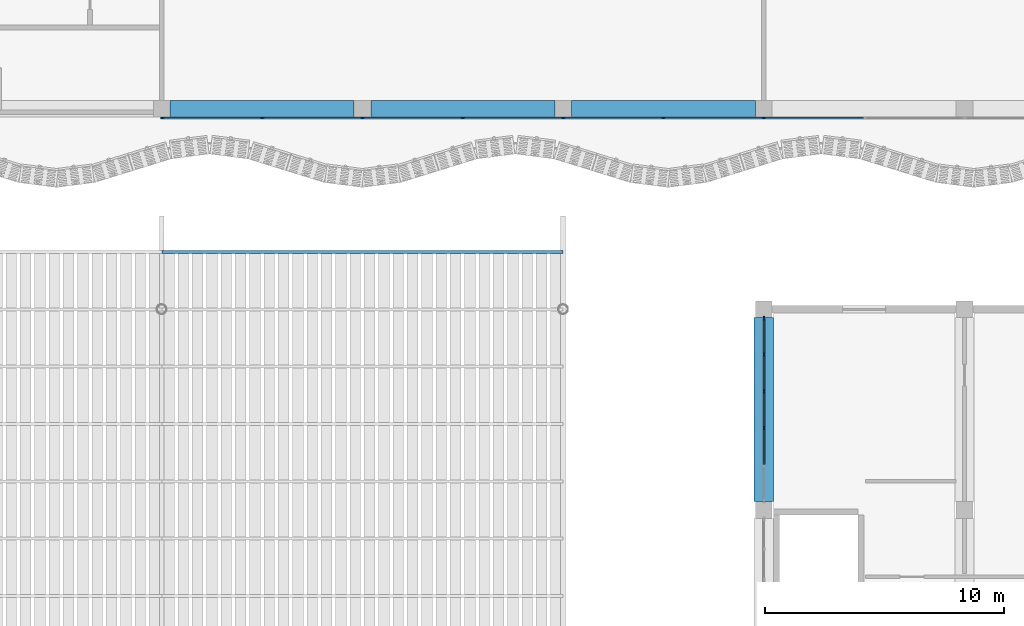
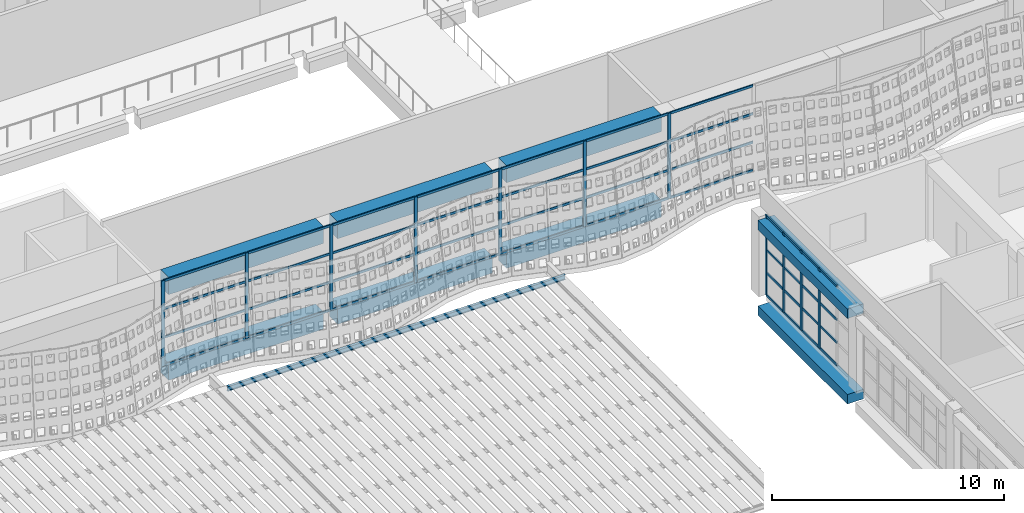
# One storey, part 47 of 162: 56 members, 8 beams, 2 elements without a shape of their own.
"""IFC4 building model written with IfcOpenShell, lengths in metres."""

from ifc_helpers import new_model, si_unit, direction, frame, origin, origin_2d, place, context, subcontext, project, spatial, rectangle, i_section, extrude, material, layer, layer_set, material_profile, profile_set, type_object, element, aggregate, save


model = new_model("IFC4")

# Units and contexts
model_context = context("Model", 3, precision=1e-05, world=origin(), true_north=direction((0.0, 1.0)))
body_context = subcontext(model_context, "Body", "Model", "MODEL_VIEW")
ifc_project = project(units=[si_unit("LENGTHUNIT", "METRE"), si_unit("AREAUNIT", "SQUARE_METRE"), si_unit("VOLUMEUNIT", "CUBIC_METRE"), si_unit("PLANEANGLEUNIT", "RADIAN"), si_unit("MASSUNIT", "GRAM", prefix="KILO")], contexts=[model_context])

# Site, building, storey
site_placement = place(None, origin())
site = spatial("IfcSite", under=ifc_project, at=site_placement, CompositionType="ELEMENT")
building_placement = place(site_placement, origin())
building = spatial("IfcBuilding", under=site, at=building_placement, Name="Rain Tree Exposition and Congress Centre", CompositionType="ELEMENT")
storey_placement = place(building_placement, frame((0.0, 0.0, 6.0)))
storey = spatial("IfcBuildingStorey", under=building, at=storey_placement, Name="L01", CompositionType="ELEMENT", Elevation=6.0)

# Curtain wall, members
ifc_material_1 = material(Name="Aluminium curtain wall system", Category="aluminium")
ifc_layer_1 = layer(ifc_material_1, 0.10009765625)
ifc_layer_set_1 = layer_set([ifc_layer_1], Name="Aluminium curtain wall system")
curtain_wall_type_1 = type_object("IfcCurtainWallType", Name="Concourse curtain wall 4200 module", PredefinedType="NOTDEFINED", material=ifc_layer_set_1)
curtain_wall_1_placement = place(storey_placement, origin())
curtain_wall_1 = element("IfcCurtainWall", 1, at=curtain_wall_1_placement, inside=storey, type_object=curtain_wall_type_1, Name="Concourse curtain wall CWC25", PredefinedType="NOTDEFINED")
ifc_material_2 = material(Name="Aluminium mullion", Category="aluminium")
ifc_material_profile_1 = material_profile(ifc_material_2, rectangle(XDim=0.06005859375, YDim=0.159912109375, at=origin_2d()), Name="AL 60x160")
ifc_profile_set_1 = profile_set([ifc_material_profile_1], Name="Aluminium mullion")
member_type_1 = type_object("IfcMemberType", Name="Concourse curtain wall mullion 60x160", PredefinedType="MULLION", material=ifc_profile_set_1)
member_1_placement = place(storey_placement, frame((126.030029296875, 75.199951171875, 0.0), z_axis=(0.0, 0.0, 1.0), x_axis=(0.0, 1.0, 0.0)))
member_1 = element("IfcMember", 2, at=member_1_placement, type_object=member_type_1, Name="CWC25 mullion 1", PredefinedType="MULLION", context=body_context, shape_type="SweptSolid", body=[
    extrude(rectangle(XDim=0.06005859375, YDim=0.159912109375, at=origin_2d()), origin(), (0.0, 0.0, 1.0), 4.5),
])
member_2_placement = place(storey_placement, frame((130.199951171875, 75.199951171875, 0.0), z_axis=(0.0, 0.0, 1.0), x_axis=(0.0, 1.0, 0.0)))
member_2 = element("IfcMember", 3, at=member_2_placement, type_object=member_type_1, Name="CWC25 mullion 2", PredefinedType="MULLION", context=body_context, shape_type="SweptSolid", body=[
    extrude(rectangle(XDim=0.06005859375, YDim=0.159912109375, at=origin_2d()), origin(), (0.0, 0.0, 1.0), 4.5),
])
member_3_placement = place(storey_placement, frame((134.39990234375, 75.199951171875, 0.0), z_axis=(0.0, 0.0, 1.0), x_axis=(0.0, 1.0, 0.0)))
member_3 = element("IfcMember", 4, at=member_3_placement, type_object=member_type_1, Name="CWC25 mullion 3", PredefinedType="MULLION", context=body_context, shape_type="SweptSolid", body=[
    extrude(rectangle(XDim=0.06005859375, YDim=0.159912109375, at=origin_2d()), origin(), (0.0, 0.0, 1.0), 4.5),
])
member_4_placement = place(storey_placement, frame((138.60009765625, 75.199951171875, 0.0), z_axis=(0.0, 0.0, 1.0), x_axis=(0.0, 1.0, 0.0)))
member_4 = element("IfcMember", 5, at=member_4_placement, type_object=member_type_1, Name="CWC25 mullion 4", PredefinedType="MULLION", context=body_context, shape_type="SweptSolid", body=[
    extrude(rectangle(XDim=0.06005859375, YDim=0.159912109375, at=origin_2d()), origin(), (0.0, 0.0, 1.0), 4.5),
])
member_5_placement = place(storey_placement, frame((142.800048828125, 75.199951171875, 0.0), z_axis=(0.0, 0.0, 1.0), x_axis=(0.0, 1.0, 0.0)))
member_5 = element("IfcMember", 6, at=member_5_placement, type_object=member_type_1, Name="CWC25 mullion 5", PredefinedType="MULLION", context=body_context, shape_type="SweptSolid", body=[
    extrude(rectangle(XDim=0.06005859375, YDim=0.159912109375, at=origin_2d()), origin(), (0.0, 0.0, 1.0), 4.5),
])
member_6_placement = place(storey_placement, frame((147.0, 75.199951171875, 0.0), z_axis=(0.0, 0.0, 1.0), x_axis=(0.0, 1.0, 0.0)))
member_6 = element("IfcMember", 7, at=member_6_placement, type_object=member_type_1, Name="CWC25 mullion 6", PredefinedType="MULLION", context=body_context, shape_type="SweptSolid", body=[
    extrude(rectangle(XDim=0.06005859375, YDim=0.159912109375, at=origin_2d()), origin(), (0.0, 0.0, 1.0), 4.5),
])
member_7_placement = place(storey_placement, frame((151.199951171875, 75.199951171875, 0.0), z_axis=(0.0, 0.0, 1.0), x_axis=(0.0, 1.0, 0.0)))
member_7 = element("IfcMember", 8, at=member_7_placement, type_object=member_type_1, Name="CWC25 mullion 7", PredefinedType="MULLION", context=body_context, shape_type="SweptSolid", body=[
    extrude(rectangle(XDim=0.06005859375, YDim=0.159912109375, at=origin_2d()), origin(), (0.0, 0.0, 1.0), 4.5),
])
ifc_material_3 = material(Name="Aluminium transom", Category="aluminium")
ifc_material_profile_2 = material_profile(ifc_material_3, rectangle(XDim=0.06005859375, YDim=0.1201171875, at=origin_2d()), Name="AL 60x120")
ifc_profile_set_2 = profile_set([ifc_material_profile_2], Name="Aluminium transom")
member_type_2 = type_object("IfcMemberType", Name="Concourse curtain wall transom 60x120", PredefinedType="USERDEFINED", material=ifc_profile_set_2)
member_8_placement = place(storey_placement, frame((126.06005859375, 75.199951171875, 0.030029296875), z_axis=(1.0, 0.0, 0.0), x_axis=(0.0, 1.0, 0.0)))
member_8 = element("IfcMember", 9, at=member_8_placement, type_object=member_type_2, Name="CWC25 transom 1.1", ObjectType="TRANSOM", PredefinedType="USERDEFINED", context=body_context, shape_type="SweptSolid", body=[
    extrude(rectangle(XDim=0.06005859375, YDim=0.1201171875, at=origin_2d()), origin(), (0.0, 0.0, 1.0), 4.10986328125),
])
member_9_placement = place(storey_placement, frame((126.06005859375, 75.199951171875, 1.5), z_axis=(1.0, 0.0, 0.0), x_axis=(0.0, 1.0, 0.0)))
member_9 = element("IfcMember", 10, at=member_9_placement, type_object=member_type_2, Name="CWC25 transom 1.2", ObjectType="TRANSOM", PredefinedType="USERDEFINED", context=body_context, shape_type="SweptSolid", body=[
    extrude(rectangle(XDim=0.06005859375, YDim=0.1201171875, at=origin_2d()), origin(), (0.0, 0.0, 1.0), 4.10986328125),
])
member_10_placement = place(storey_placement, frame((126.06005859375, 75.199951171875, 3.0), z_axis=(1.0, 0.0, 0.0), x_axis=(0.0, 1.0, 0.0)))
member_10 = element("IfcMember", 11, at=member_10_placement, type_object=member_type_2, Name="CWC25 transom 1.3", ObjectType="TRANSOM", PredefinedType="USERDEFINED", context=body_context, shape_type="SweptSolid", body=[
    extrude(rectangle(XDim=0.06005859375, YDim=0.1201171875, at=origin_2d()), origin(), (0.0, 0.0, 1.0), 4.10986328125),
])
member_11_placement = place(storey_placement, frame((126.06005859375, 75.199951171875, 4.469970703125), z_axis=(1.0, 0.0, 0.0), x_axis=(0.0, 1.0, 0.0)))
member_11 = element("IfcMember", 12, at=member_11_placement, type_object=member_type_2, Name="CWC25 transom 1.4", ObjectType="TRANSOM", PredefinedType="USERDEFINED", context=body_context, shape_type="SweptSolid", body=[
    extrude(rectangle(XDim=0.06005859375, YDim=0.1201171875, at=origin_2d()), origin(), (0.0, 0.0, 1.0), 4.10986328125),
])
member_12_placement = place(storey_placement, frame((130.22998046875, 75.199951171875, 0.030029296875), z_axis=(1.0, 0.0, 0.0), x_axis=(0.0, 1.0, 0.0)))
member_12 = element("IfcMember", 13, at=member_12_placement, type_object=member_type_2, Name="CWC25 transom 2.1", ObjectType="TRANSOM", PredefinedType="USERDEFINED", context=body_context, shape_type="SweptSolid", body=[
    extrude(rectangle(XDim=0.06005859375, YDim=0.1201171875, at=origin_2d()), origin(), (0.0, 0.0, 1.0), 4.14013671875),
])
member_13_placement = place(storey_placement, frame((130.22998046875, 75.199951171875, 1.5), z_axis=(1.0, 0.0, 0.0), x_axis=(0.0, 1.0, 0.0)))
member_13 = element("IfcMember", 14, at=member_13_placement, type_object=member_type_2, Name="CWC25 transom 2.2", ObjectType="TRANSOM", PredefinedType="USERDEFINED", context=body_context, shape_type="SweptSolid", body=[
    extrude(rectangle(XDim=0.06005859375, YDim=0.1201171875, at=origin_2d()), origin(), (0.0, 0.0, 1.0), 4.14013671875),
])
member_14_placement = place(storey_placement, frame((130.22998046875, 75.199951171875, 3.0), z_axis=(1.0, 0.0, 0.0), x_axis=(0.0, 1.0, 0.0)))
member_14 = element("IfcMember", 15, at=member_14_placement, type_object=member_type_2, Name="CWC25 transom 2.3", ObjectType="TRANSOM", PredefinedType="USERDEFINED", context=body_context, shape_type="SweptSolid", body=[
    extrude(rectangle(XDim=0.06005859375, YDim=0.1201171875, at=origin_2d()), origin(), (0.0, 0.0, 1.0), 4.14013671875),
])
member_15_placement = place(storey_placement, frame((130.22998046875, 75.199951171875, 4.469970703125), z_axis=(1.0, 0.0, 0.0), x_axis=(0.0, 1.0, 0.0)))
member_15 = element("IfcMember", 16, at=member_15_placement, type_object=member_type_2, Name="CWC25 transom 2.4", ObjectType="TRANSOM", PredefinedType="USERDEFINED", context=body_context, shape_type="SweptSolid", body=[
    extrude(rectangle(XDim=0.06005859375, YDim=0.1201171875, at=origin_2d()), origin(), (0.0, 0.0, 1.0), 4.14013671875),
])
member_16_placement = place(storey_placement, frame((134.429931640625, 75.199951171875, 0.030029296875), z_axis=(1.0, 0.0, 0.0), x_axis=(0.0, 1.0, 0.0)))
member_16 = element("IfcMember", 17, at=member_16_placement, type_object=member_type_2, Name="CWC25 transom 3.1", ObjectType="TRANSOM", PredefinedType="USERDEFINED", context=body_context, shape_type="SweptSolid", body=[
    extrude(rectangle(XDim=0.06005859375, YDim=0.1201171875, at=origin_2d()), origin(), (0.0, 0.0, 1.0), 4.14013671875),
])
member_17_placement = place(storey_placement, frame((134.429931640625, 75.199951171875, 1.5), z_axis=(1.0, 0.0, 0.0), x_axis=(0.0, 1.0, 0.0)))
member_17 = element("IfcMember", 18, at=member_17_placement, type_object=member_type_2, Name="CWC25 transom 3.2", ObjectType="TRANSOM", PredefinedType="USERDEFINED", context=body_context, shape_type="SweptSolid", body=[
    extrude(rectangle(XDim=0.06005859375, YDim=0.1201171875, at=origin_2d()), origin(), (0.0, 0.0, 1.0), 4.14013671875),
])
member_18_placement = place(storey_placement, frame((134.429931640625, 75.199951171875, 3.0), z_axis=(1.0, 0.0, 0.0), x_axis=(0.0, 1.0, 0.0)))
member_18 = element("IfcMember", 19, at=member_18_placement, type_object=member_type_2, Name="CWC25 transom 3.3", ObjectType="TRANSOM", PredefinedType="USERDEFINED", context=body_context, shape_type="SweptSolid", body=[
    extrude(rectangle(XDim=0.06005859375, YDim=0.1201171875, at=origin_2d()), origin(), (0.0, 0.0, 1.0), 4.14013671875),
])
member_19_placement = place(storey_placement, frame((134.429931640625, 75.199951171875, 4.469970703125), z_axis=(1.0, 0.0, 0.0), x_axis=(0.0, 1.0, 0.0)))
member_19 = element("IfcMember", 20, at=member_19_placement, type_object=member_type_2, Name="CWC25 transom 3.4", ObjectType="TRANSOM", PredefinedType="USERDEFINED", context=body_context, shape_type="SweptSolid", body=[
    extrude(rectangle(XDim=0.06005859375, YDim=0.1201171875, at=origin_2d()), origin(), (0.0, 0.0, 1.0), 4.14013671875),
])
member_20_placement = place(storey_placement, frame((138.6298828125, 75.199951171875, 0.030029296875), z_axis=(1.0, 0.0, 0.0), x_axis=(0.0, 1.0, 0.0)))
member_20 = element("IfcMember", 21, at=member_20_placement, type_object=member_type_2, Name="CWC25 transom 4.1", ObjectType="TRANSOM", PredefinedType="USERDEFINED", context=body_context, shape_type="SweptSolid", body=[
    extrude(rectangle(XDim=0.06005859375, YDim=0.1201171875, at=origin_2d()), origin(), (0.0, 0.0, 1.0), 4.14013671875),
])
member_21_placement = place(storey_placement, frame((138.6298828125, 75.199951171875, 1.5), z_axis=(1.0, 0.0, 0.0), x_axis=(0.0, 1.0, 0.0)))
member_21 = element("IfcMember", 22, at=member_21_placement, type_object=member_type_2, Name="CWC25 transom 4.2", ObjectType="TRANSOM", PredefinedType="USERDEFINED", context=body_context, shape_type="SweptSolid", body=[
    extrude(rectangle(XDim=0.06005859375, YDim=0.1201171875, at=origin_2d()), origin(), (0.0, 0.0, 1.0), 4.14013671875),
])
member_22_placement = place(storey_placement, frame((138.6298828125, 75.199951171875, 3.0), z_axis=(1.0, 0.0, 0.0), x_axis=(0.0, 1.0, 0.0)))
member_22 = element("IfcMember", 23, at=member_22_placement, type_object=member_type_2, Name="CWC25 transom 4.3", ObjectType="TRANSOM", PredefinedType="USERDEFINED", context=body_context, shape_type="SweptSolid", body=[
    extrude(rectangle(XDim=0.06005859375, YDim=0.1201171875, at=origin_2d()), origin(), (0.0, 0.0, 1.0), 4.14013671875),
])
member_23_placement = place(storey_placement, frame((138.6298828125, 75.199951171875, 4.469970703125), z_axis=(1.0, 0.0, 0.0), x_axis=(0.0, 1.0, 0.0)))
member_23 = element("IfcMember", 24, at=member_23_placement, type_object=member_type_2, Name="CWC25 transom 4.4", ObjectType="TRANSOM", PredefinedType="USERDEFINED", context=body_context, shape_type="SweptSolid", body=[
    extrude(rectangle(XDim=0.06005859375, YDim=0.1201171875, at=origin_2d()), origin(), (0.0, 0.0, 1.0), 4.14013671875),
])
member_24_placement = place(storey_placement, frame((142.830078125, 75.199951171875, 0.030029296875), z_axis=(1.0, 0.0, 0.0), x_axis=(0.0, 1.0, 0.0)))
member_24 = element("IfcMember", 25, at=member_24_placement, type_object=member_type_2, Name="CWC25 transom 5.1", ObjectType="TRANSOM", PredefinedType="USERDEFINED", context=body_context, shape_type="SweptSolid", body=[
    extrude(rectangle(XDim=0.06005859375, YDim=0.1201171875, at=origin_2d()), origin(), (0.0, 0.0, 1.0), 4.139892578125),
])
member_25_placement = place(storey_placement, frame((142.830078125, 75.199951171875, 1.5), z_axis=(1.0, 0.0, 0.0), x_axis=(0.0, 1.0, 0.0)))
member_25 = element("IfcMember", 26, at=member_25_placement, type_object=member_type_2, Name="CWC25 transom 5.2", ObjectType="TRANSOM", PredefinedType="USERDEFINED", context=body_context, shape_type="SweptSolid", body=[
    extrude(rectangle(XDim=0.06005859375, YDim=0.1201171875, at=origin_2d()), origin(), (0.0, 0.0, 1.0), 4.139892578125),
])
member_26_placement = place(storey_placement, frame((142.830078125, 75.199951171875, 3.0), z_axis=(1.0, 0.0, 0.0), x_axis=(0.0, 1.0, 0.0)))
member_26 = element("IfcMember", 27, at=member_26_placement, type_object=member_type_2, Name="CWC25 transom 5.3", ObjectType="TRANSOM", PredefinedType="USERDEFINED", context=body_context, shape_type="SweptSolid", body=[
    extrude(rectangle(XDim=0.06005859375, YDim=0.1201171875, at=origin_2d()), origin(), (0.0, 0.0, 1.0), 4.139892578125),
])
member_27_placement = place(storey_placement, frame((142.830078125, 75.199951171875, 4.469970703125), z_axis=(1.0, 0.0, 0.0), x_axis=(0.0, 1.0, 0.0)))
member_27 = element("IfcMember", 28, at=member_27_placement, type_object=member_type_2, Name="CWC25 transom 5.4", ObjectType="TRANSOM", PredefinedType="USERDEFINED", context=body_context, shape_type="SweptSolid", body=[
    extrude(rectangle(XDim=0.06005859375, YDim=0.1201171875, at=origin_2d()), origin(), (0.0, 0.0, 1.0), 4.139892578125),
])
member_28_placement = place(storey_placement, frame((147.030029296875, 75.199951171875, 0.030029296875), z_axis=(1.0, 0.0, 0.0), x_axis=(0.0, 1.0, 0.0)))
member_28 = element("IfcMember", 29, at=member_28_placement, type_object=member_type_2, Name="CWC25 transom 6.1", ObjectType="TRANSOM", PredefinedType="USERDEFINED", context=body_context, shape_type="SweptSolid", body=[
    extrude(rectangle(XDim=0.06005859375, YDim=0.1201171875, at=origin_2d()), origin(), (0.0, 0.0, 1.0), 4.139892578125),
])
member_29_placement = place(storey_placement, frame((147.030029296875, 75.199951171875, 1.5), z_axis=(1.0, 0.0, 0.0), x_axis=(0.0, 1.0, 0.0)))
member_29 = element("IfcMember", 30, at=member_29_placement, type_object=member_type_2, Name="CWC25 transom 6.2", ObjectType="TRANSOM", PredefinedType="USERDEFINED", context=body_context, shape_type="SweptSolid", body=[
    extrude(rectangle(XDim=0.06005859375, YDim=0.1201171875, at=origin_2d()), origin(), (0.0, 0.0, 1.0), 4.139892578125),
])
member_30_placement = place(storey_placement, frame((147.030029296875, 75.199951171875, 3.0), z_axis=(1.0, 0.0, 0.0), x_axis=(0.0, 1.0, 0.0)))
member_30 = element("IfcMember", 31, at=member_30_placement, type_object=member_type_2, Name="CWC25 transom 6.3", ObjectType="TRANSOM", PredefinedType="USERDEFINED", context=body_context, shape_type="SweptSolid", body=[
    extrude(rectangle(XDim=0.06005859375, YDim=0.1201171875, at=origin_2d()), origin(), (0.0, 0.0, 1.0), 4.139892578125),
])
member_31_placement = place(storey_placement, frame((147.030029296875, 75.199951171875, 4.469970703125), z_axis=(1.0, 0.0, 0.0), x_axis=(0.0, 1.0, 0.0)))
member_31 = element("IfcMember", 32, at=member_31_placement, type_object=member_type_2, Name="CWC25 transom 6.4", ObjectType="TRANSOM", PredefinedType="USERDEFINED", context=body_context, shape_type="SweptSolid", body=[
    extrude(rectangle(XDim=0.06005859375, YDim=0.1201171875, at=origin_2d()), origin(), (0.0, 0.0, 1.0), 4.139892578125),
])
member_32_placement = place(storey_placement, frame((151.22998046875, 75.199951171875, 0.030029296875), z_axis=(1.0, 0.0, 0.0), x_axis=(0.0, 1.0, 0.0)))
member_32 = element("IfcMember", 33, at=member_32_placement, type_object=member_type_2, Name="CWC25 transom 7.1", ObjectType="TRANSOM", PredefinedType="USERDEFINED", context=body_context, shape_type="SweptSolid", body=[
    extrude(rectangle(XDim=0.06005859375, YDim=0.1201171875, at=origin_2d()), origin(), (0.0, 0.0, 1.0), 4.14013671875),
])
member_33_placement = place(storey_placement, frame((151.22998046875, 75.199951171875, 1.5), z_axis=(1.0, 0.0, 0.0), x_axis=(0.0, 1.0, 0.0)))
member_33 = element("IfcMember", 34, at=member_33_placement, type_object=member_type_2, Name="CWC25 transom 7.2", ObjectType="TRANSOM", PredefinedType="USERDEFINED", context=body_context, shape_type="SweptSolid", body=[
    extrude(rectangle(XDim=0.06005859375, YDim=0.1201171875, at=origin_2d()), origin(), (0.0, 0.0, 1.0), 4.14013671875),
])
member_34_placement = place(storey_placement, frame((151.22998046875, 75.199951171875, 3.0), z_axis=(1.0, 0.0, 0.0), x_axis=(0.0, 1.0, 0.0)))
member_34 = element("IfcMember", 35, at=member_34_placement, type_object=member_type_2, Name="CWC25 transom 7.3", ObjectType="TRANSOM", PredefinedType="USERDEFINED", context=body_context, shape_type="SweptSolid", body=[
    extrude(rectangle(XDim=0.06005859375, YDim=0.1201171875, at=origin_2d()), origin(), (0.0, 0.0, 1.0), 4.14013671875),
])
member_35_placement = place(storey_placement, frame((151.22998046875, 75.199951171875, 4.469970703125), z_axis=(1.0, 0.0, 0.0), x_axis=(0.0, 1.0, 0.0)))
member_35 = element("IfcMember", 36, at=member_35_placement, type_object=member_type_2, Name="CWC25 transom 7.4", ObjectType="TRANSOM", PredefinedType="USERDEFINED", context=body_context, shape_type="SweptSolid", body=[
    extrude(rectangle(XDim=0.06005859375, YDim=0.1201171875, at=origin_2d()), origin(), (0.0, 0.0, 1.0), 4.14013671875),
])
aggregate(curtain_wall_1, [member_1, member_2, member_3, member_4, member_5, member_6, member_7, member_8, member_9, member_10, member_11, member_12, member_13, member_14, member_15, member_16, member_17, member_18, member_19, member_20, member_21, member_22, member_23, member_24, member_25, member_26, member_27, member_28, member_29, member_30, member_31, member_32, member_33, member_34, member_35])

ifc_material_4 = material(Name="Aluminium", Category="aluminium")
ifc_layer_2 = layer(ifc_material_4, 0.10009765625)
ifc_layer_set_2 = layer_set([ifc_layer_2], Name="Aluminium")
curtain_wall_type_2 = type_object("IfcCurtainWallType", Name="Curtain wall congress", PredefinedType="NOTDEFINED", material=ifc_layer_set_2)
curtain_wall_2_placement = place(storey_placement, origin())
curtain_wall_2 = element("IfcCurtainWall", 37, at=curtain_wall_2_placement, inside=storey, type_object=curtain_wall_type_2, Name="Foyer curtain wall L01 bay 7", PredefinedType="NOTDEFINED")
ifc_material_5 = material(Name="Aluminium", Category="aluminium")
ifc_material_profile_3 = material_profile(ifc_material_5, rectangle(XDim=0.06005859375, YDim=0.159912109375, at=origin_2d()), Name="AL 60x160")
ifc_profile_set_3 = profile_set([ifc_material_profile_3], Name="Aluminium")
member_type_3 = type_object("IfcMemberType", Name="Curtain wall mullion 60x160 congress", PredefinedType="MULLION", material=ifc_profile_set_3)
member_36_placement = place(storey_placement, frame((151.199951171875, 62.22998046875, 0.0), z_axis=(0.0, 0.0, 1.0), x_axis=(-1.0, 0.0, 0.0)))
member_36 = element("IfcMember", 38, at=member_36_placement, type_object=member_type_3, Name="CWG407 mullion 3", PredefinedType="MULLION", context=body_context, shape_type="SweptSolid", body=[
    extrude(rectangle(XDim=0.06005859375, YDim=0.159912109375, at=origin_2d()), origin(), (0.0, 0.0, 1.0), 4.199951171875),
])
member_37_placement = place(storey_placement, frame((151.199951171875, 63.77001953125, 0.0), z_axis=(0.0, 0.0, 1.0), x_axis=(-1.0, 0.0, 0.0)))
member_37 = element("IfcMember", 39, at=member_37_placement, type_object=member_type_3, Name="CWG407 mullion 4", PredefinedType="MULLION", context=body_context, shape_type="SweptSolid", body=[
    extrude(rectangle(XDim=0.06005859375, YDim=0.159912109375, at=origin_2d()), origin(), (0.0, 0.0, 1.0), 4.199951171875),
])
member_38_placement = place(storey_placement, frame((151.199951171875, 65.31005859375, 0.0), z_axis=(0.0, 0.0, 1.0), x_axis=(-1.0, 0.0, 0.0)))
member_38 = element("IfcMember", 40, at=member_38_placement, type_object=member_type_3, Name="CWG407 mullion 5", PredefinedType="MULLION", context=body_context, shape_type="SweptSolid", body=[
    extrude(rectangle(XDim=0.06005859375, YDim=0.159912109375, at=origin_2d()), origin(), (0.0, 0.0, 1.0), 4.199951171875),
])
member_39_placement = place(storey_placement, frame((151.199951171875, 66.820068359375, 0.0), z_axis=(0.0, 0.0, 1.0), x_axis=(-1.0, 0.0, 0.0)))
member_39 = element("IfcMember", 41, at=member_39_placement, type_object=member_type_3, Name="CWG407 mullion 6", PredefinedType="MULLION", context=body_context, shape_type="SweptSolid", body=[
    extrude(rectangle(XDim=0.06005859375, YDim=0.159912109375, at=origin_2d()), origin(), (0.0, 0.0, 1.0), 4.199951171875),
])
ifc_material_6 = material(Name="Aluminium", Category="aluminium")
ifc_material_profile_4 = material_profile(ifc_material_6, rectangle(XDim=0.06005859375, YDim=0.1201171875, at=origin_2d()), Name="AL 60x120")
ifc_profile_set_4 = profile_set([ifc_material_profile_4], Name="Aluminium")
member_type_4 = type_object("IfcMemberType", Name="Curtain wall transom 60x120 congress", PredefinedType="USERDEFINED", material=ifc_profile_set_4)
member_40_placement = place(storey_placement, frame((151.199951171875, 60.719970703125, 0.030029296875), z_axis=(0.0, 1.0, 0.0), x_axis=(-1.0, 0.0, 0.0)))
member_40 = element("IfcMember", 42, at=member_40_placement, type_object=member_type_4, Name="CWG407 transom 2.1", ObjectType="TRANSOM", PredefinedType="USERDEFINED", context=body_context, shape_type="SweptSolid", body=[
    extrude(rectangle(XDim=0.06005859375, YDim=0.1201171875, at=origin_2d()), origin(), (0.0, 0.0, 1.0), 1.47998046875),
])
member_41_placement = place(storey_placement, frame((151.199951171875, 60.719970703125, 1.199951171875), z_axis=(0.0, 1.0, 0.0), x_axis=(-1.0, 0.0, 0.0)))
member_41 = element("IfcMember", 43, at=member_41_placement, type_object=member_type_4, Name="CWG407 transom 2.2", ObjectType="TRANSOM", PredefinedType="USERDEFINED", context=body_context, shape_type="SweptSolid", body=[
    extrude(rectangle(XDim=0.06005859375, YDim=0.1201171875, at=origin_2d()), origin(), (0.0, 0.0, 1.0), 1.47998046875),
])
member_42_placement = place(storey_placement, frame((151.199951171875, 60.719970703125, 2.39990234375), z_axis=(0.0, 1.0, 0.0), x_axis=(-1.0, 0.0, 0.0)))
member_42 = element("IfcMember", 44, at=member_42_placement, type_object=member_type_4, Name="CWG407 transom 2.3", ObjectType="TRANSOM", PredefinedType="USERDEFINED", context=body_context, shape_type="SweptSolid", body=[
    extrude(rectangle(XDim=0.06005859375, YDim=0.1201171875, at=origin_2d()), origin(), (0.0, 0.0, 1.0), 1.47998046875),
])
member_43_placement = place(storey_placement, frame((151.199951171875, 60.719970703125, 4.169921875), z_axis=(0.0, 1.0, 0.0), x_axis=(-1.0, 0.0, 0.0)))
member_43 = element("IfcMember", 45, at=member_43_placement, type_object=member_type_4, Name="CWG407 transom 2.4", ObjectType="TRANSOM", PredefinedType="USERDEFINED", context=body_context, shape_type="SweptSolid", body=[
    extrude(rectangle(XDim=0.06005859375, YDim=0.1201171875, at=origin_2d()), origin(), (0.0, 0.0, 1.0), 1.47998046875),
])
member_44_placement = place(storey_placement, frame((151.199951171875, 62.260009765625, 0.030029296875), z_axis=(0.0, 1.0, 0.0), x_axis=(-1.0, 0.0, 0.0)))
member_44 = element("IfcMember", 46, at=member_44_placement, type_object=member_type_4, Name="CWG407 transom 3.1", ObjectType="TRANSOM", PredefinedType="USERDEFINED", context=body_context, shape_type="SweptSolid", body=[
    extrude(rectangle(XDim=0.06005859375, YDim=0.1201171875, at=origin_2d()), origin(), (0.0, 0.0, 1.0), 1.47998046875),
])
member_45_placement = place(storey_placement, frame((151.199951171875, 62.260009765625, 1.199951171875), z_axis=(0.0, 1.0, 0.0), x_axis=(-1.0, 0.0, 0.0)))
member_45 = element("IfcMember", 47, at=member_45_placement, type_object=member_type_4, Name="CWG407 transom 3.2", ObjectType="TRANSOM", PredefinedType="USERDEFINED", context=body_context, shape_type="SweptSolid", body=[
    extrude(rectangle(XDim=0.06005859375, YDim=0.1201171875, at=origin_2d()), origin(), (0.0, 0.0, 1.0), 1.47998046875),
])
member_46_placement = place(storey_placement, frame((151.199951171875, 62.260009765625, 2.39990234375), z_axis=(0.0, 1.0, 0.0), x_axis=(-1.0, 0.0, 0.0)))
member_46 = element("IfcMember", 48, at=member_46_placement, type_object=member_type_4, Name="CWG407 transom 3.3", ObjectType="TRANSOM", PredefinedType="USERDEFINED", context=body_context, shape_type="SweptSolid", body=[
    extrude(rectangle(XDim=0.06005859375, YDim=0.1201171875, at=origin_2d()), origin(), (0.0, 0.0, 1.0), 1.47998046875),
])
member_47_placement = place(storey_placement, frame((151.199951171875, 62.260009765625, 4.169921875), z_axis=(0.0, 1.0, 0.0), x_axis=(-1.0, 0.0, 0.0)))
member_47 = element("IfcMember", 49, at=member_47_placement, type_object=member_type_4, Name="CWG407 transom 3.4", ObjectType="TRANSOM", PredefinedType="USERDEFINED", context=body_context, shape_type="SweptSolid", body=[
    extrude(rectangle(XDim=0.06005859375, YDim=0.1201171875, at=origin_2d()), origin(), (0.0, 0.0, 1.0), 1.47998046875),
])
member_48_placement = place(storey_placement, frame((151.199951171875, 63.800048828125, 0.030029296875), z_axis=(0.0, 1.0, 0.0), x_axis=(-1.0, 0.0, 0.0)))
member_48 = element("IfcMember", 50, at=member_48_placement, type_object=member_type_4, Name="CWG407 transom 4.1", ObjectType="TRANSOM", PredefinedType="USERDEFINED", context=body_context, shape_type="SweptSolid", body=[
    extrude(rectangle(XDim=0.06005859375, YDim=0.1201171875, at=origin_2d()), origin(), (0.0, 0.0, 1.0), 1.47998046875),
])
member_49_placement = place(storey_placement, frame((151.199951171875, 63.800048828125, 1.199951171875), z_axis=(0.0, 1.0, 0.0), x_axis=(-1.0, 0.0, 0.0)))
member_49 = element("IfcMember", 51, at=member_49_placement, type_object=member_type_4, Name="CWG407 transom 4.2", ObjectType="TRANSOM", PredefinedType="USERDEFINED", context=body_context, shape_type="SweptSolid", body=[
    extrude(rectangle(XDim=0.06005859375, YDim=0.1201171875, at=origin_2d()), origin(), (0.0, 0.0, 1.0), 1.47998046875),
])
member_50_placement = place(storey_placement, frame((151.199951171875, 63.800048828125, 2.39990234375), z_axis=(0.0, 1.0, 0.0), x_axis=(-1.0, 0.0, 0.0)))
member_50 = element("IfcMember", 52, at=member_50_placement, type_object=member_type_4, Name="CWG407 transom 4.3", ObjectType="TRANSOM", PredefinedType="USERDEFINED", context=body_context, shape_type="SweptSolid", body=[
    extrude(rectangle(XDim=0.06005859375, YDim=0.1201171875, at=origin_2d()), origin(), (0.0, 0.0, 1.0), 1.47998046875),
])
member_51_placement = place(storey_placement, frame((151.199951171875, 63.800048828125, 4.169921875), z_axis=(0.0, 1.0, 0.0), x_axis=(-1.0, 0.0, 0.0)))
member_51 = element("IfcMember", 53, at=member_51_placement, type_object=member_type_4, Name="CWG407 transom 4.4", ObjectType="TRANSOM", PredefinedType="USERDEFINED", context=body_context, shape_type="SweptSolid", body=[
    extrude(rectangle(XDim=0.06005859375, YDim=0.1201171875, at=origin_2d()), origin(), (0.0, 0.0, 1.0), 1.47998046875),
])
member_52_placement = place(storey_placement, frame((151.199951171875, 65.340087890625, 0.030029296875), z_axis=(0.0, 1.0, 0.0), x_axis=(-1.0, 0.0, 0.0)))
member_52 = element("IfcMember", 54, at=member_52_placement, type_object=member_type_4, Name="CWG407 transom 5.1", ObjectType="TRANSOM", PredefinedType="USERDEFINED", context=body_context, shape_type="SweptSolid", body=[
    extrude(rectangle(XDim=0.06005859375, YDim=0.1201171875, at=origin_2d()), origin(), (0.0, 0.0, 1.0), 1.449951171875),
])
member_53_placement = place(storey_placement, frame((151.199951171875, 65.340087890625, 1.199951171875), z_axis=(0.0, 1.0, 0.0), x_axis=(-1.0, 0.0, 0.0)))
member_53 = element("IfcMember", 55, at=member_53_placement, type_object=member_type_4, Name="CWG407 transom 5.2", ObjectType="TRANSOM", PredefinedType="USERDEFINED", context=body_context, shape_type="SweptSolid", body=[
    extrude(rectangle(XDim=0.06005859375, YDim=0.1201171875, at=origin_2d()), origin(), (0.0, 0.0, 1.0), 1.449951171875),
])
member_54_placement = place(storey_placement, frame((151.199951171875, 65.340087890625, 2.39990234375), z_axis=(0.0, 1.0, 0.0), x_axis=(-1.0, 0.0, 0.0)))
member_54 = element("IfcMember", 56, at=member_54_placement, type_object=member_type_4, Name="CWG407 transom 5.3", ObjectType="TRANSOM", PredefinedType="USERDEFINED", context=body_context, shape_type="SweptSolid", body=[
    extrude(rectangle(XDim=0.06005859375, YDim=0.1201171875, at=origin_2d()), origin(), (0.0, 0.0, 1.0), 1.449951171875),
])
member_55_placement = place(storey_placement, frame((151.199951171875, 65.340087890625, 4.169921875), z_axis=(0.0, 1.0, 0.0), x_axis=(-1.0, 0.0, 0.0)))
member_55 = element("IfcMember", 57, at=member_55_placement, type_object=member_type_4, Name="CWG407 transom 5.4", ObjectType="TRANSOM", PredefinedType="USERDEFINED", context=body_context, shape_type="SweptSolid", body=[
    extrude(rectangle(XDim=0.06005859375, YDim=0.1201171875, at=origin_2d()), origin(), (0.0, 0.0, 1.0), 1.449951171875),
])
aggregate(curtain_wall_2, [member_36, member_37, member_38, member_39, member_40, member_41, member_42, member_43, member_44, member_45, member_46, member_47, member_48, member_49, member_50, member_51, member_52, member_53, member_54, member_55])

# Beams
ifc_material_7 = material(Name="Precast concrete C50/60", Category="concrete")
ifc_material_profile_5 = material_profile(ifc_material_7, rectangle(XDim=0.5, YDim=0.800048828125, at=origin_2d()), Name="RC 500x800")
ifc_profile_set_5 = profile_set([ifc_material_profile_5], Name="Precast concrete C50/60")
beam_type_1 = type_object("IfcBeamType", Name="Precast beam 500x800", PredefinedType="BEAM", material=ifc_profile_set_5)
for number, where, z_axis, x_axis, name in (
    (58, (151.199951171875, 59.14990234375, -0.699951171875), (0.0, 1.0, 0.0), (0.0, 0.0, 1.0), "Foyer beam"),
    (59, (151.199951171875, 59.14990234375, 3.800048828125), (0.0, 1.0, 0.0), (0.0, 0.0, 1.0), "Foyer beam"),
):
    element("IfcBeam", number, at=place(storey_placement, frame(where, z_axis=z_axis, x_axis=x_axis)), inside=storey, type_object=beam_type_1, Name=name, PredefinedType="BEAM", context=body_context, shape_type="SweptSolid", body=[
        extrude(rectangle(XDim=0.5, YDim=0.800048828125, at=origin_2d()), origin(), (0.0, 0.0, 1.0), 7.7001953125),
    ])
ifc_material_8 = material(Name="Precast concrete C50/60", Category="concrete")
ifc_material_profile_6 = material_profile(ifc_material_8, rectangle(XDim=0.699951171875, YDim=0.89990234375, at=origin_2d()), Name="RC 700x900")
ifc_profile_set_6 = profile_set([ifc_material_profile_6], Name="Precast concrete C50/60")
beam_type_2 = type_object("IfcBeamType", Name="Precast beam 700x900", PredefinedType="BEAM", material=ifc_profile_set_6)
for number, where, z_axis, x_axis, name in (
    (60, (126.35009765625, 75.60009765625, -0.449951171875), (1.0, 0.0, 0.0), (0.0, 1.0, 0.0), "Concourse edge beam 16"),
    (61, (134.75, 75.60009765625, -0.449951171875), (1.0, 0.0, 0.0), (0.0, 1.0, 0.0), "Concourse edge beam 17"),
):
    element("IfcBeam", number, at=place(storey_placement, frame(where, z_axis=z_axis, x_axis=x_axis)), inside=storey, type_object=beam_type_2, Name=name, PredefinedType="BEAM", context=body_context, shape_type="SweptSolid", body=[
        extrude(rectangle(XDim=0.699951171875, YDim=0.89990234375, at=origin_2d()), origin(), (0.0, 0.0, 1.0), 7.699951171875),
    ])
beam_1_placement = place(storey_placement, frame((143.14990234375, 75.60009765625, -0.449951171875), z_axis=(1.0, 0.0, 0.0), x_axis=(0.0, 1.0, 0.0)))
element("IfcBeam", 62, at=beam_1_placement, inside=storey, type_object=beam_type_2, Name="Concourse edge beam 18", PredefinedType="BEAM", context=body_context, shape_type="SweptSolid", body=[
    extrude(rectangle(XDim=0.699951171875, YDim=0.89990234375, at=origin_2d()), origin(), (0.0, 0.0, 1.0), 7.7001953125),
])
for number, where, z_axis, x_axis, name in (
    (63, (126.35009765625, 75.60009765625, 4.050048828125), (1.0, 0.0, 0.0), (0.0, 1.0, 0.0), "Concourse roof edge beam 16"),
    (64, (134.75, 75.60009765625, 4.050048828125), (1.0, 0.0, 0.0), (0.0, 1.0, 0.0), "Concourse roof edge beam 17"),
):
    element("IfcBeam", number, at=place(storey_placement, frame(where, z_axis=z_axis, x_axis=x_axis)), inside=storey, type_object=beam_type_2, Name=name, PredefinedType="BEAM", context=body_context, shape_type="SweptSolid", body=[
        extrude(rectangle(XDim=0.699951171875, YDim=0.89990234375, at=origin_2d()), origin(), (0.0, 0.0, 1.0), 7.699951171875),
    ])
beam_2_placement = place(storey_placement, frame((143.14990234375, 75.60009765625, 4.050048828125), z_axis=(1.0, 0.0, 0.0), x_axis=(0.0, 1.0, 0.0)))
element("IfcBeam", 65, at=beam_2_placement, inside=storey, type_object=beam_type_2, Name="Concourse roof edge beam 18", PredefinedType="BEAM", context=body_context, shape_type="SweptSolid", body=[
    extrude(rectangle(XDim=0.699951171875, YDim=0.89990234375, at=origin_2d()), origin(), (0.0, 0.0, 1.0), 7.7001953125),
])

# Member
ifc_material_9 = material(Name="Steel S355J2", Category="steel")
ifc_material_profile_7 = material_profile(ifc_material_9, i_section(OverallWidth=0.125, OverallDepth=0.25, WebThickness=0.006103515625, FlangeThickness=0.009033203125, FilletRadius=0.008056640625, at=origin_2d()), Name="H 250x125x6x9")
ifc_profile_set_7 = profile_set([ifc_material_profile_7], Name="Steel S355J2")
member_type_5 = type_object("IfcMemberType", Name="Steel purlin H 250x125x6x9", PredefinedType="PURLIN", material=ifc_profile_set_7)
member_56_placement = place(storey_placement, frame((126.0, 69.60009765625, 2.22509765625), z_axis=(1.0, 0.0, 0.0), x_axis=(0.0, 1.0, 0.0)))
element("IfcMember", 66, at=member_56_placement, inside=storey, type_object=member_type_5, Name="Canopy purlin 45", PredefinedType="PURLIN", context=body_context, shape_type="SweptSolid", body=[
    extrude(i_section(OverallWidth=0.125, OverallDepth=0.25, WebThickness=0.006103515625, FlangeThickness=0.009033203125, FilletRadius=0.008056640625, at=origin_2d()), origin(), (0.0, 0.0, 1.0), 16.800048828125),
])

save(model, "model.ifc")
